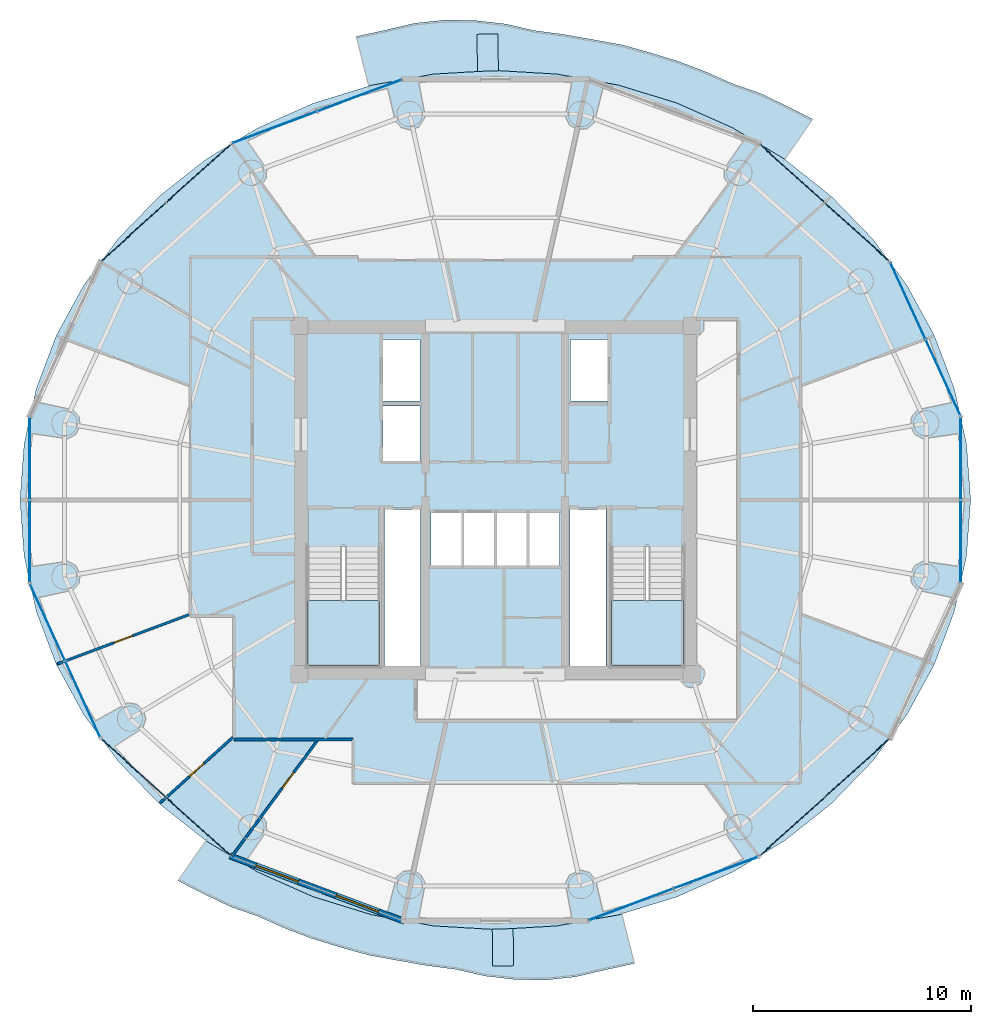
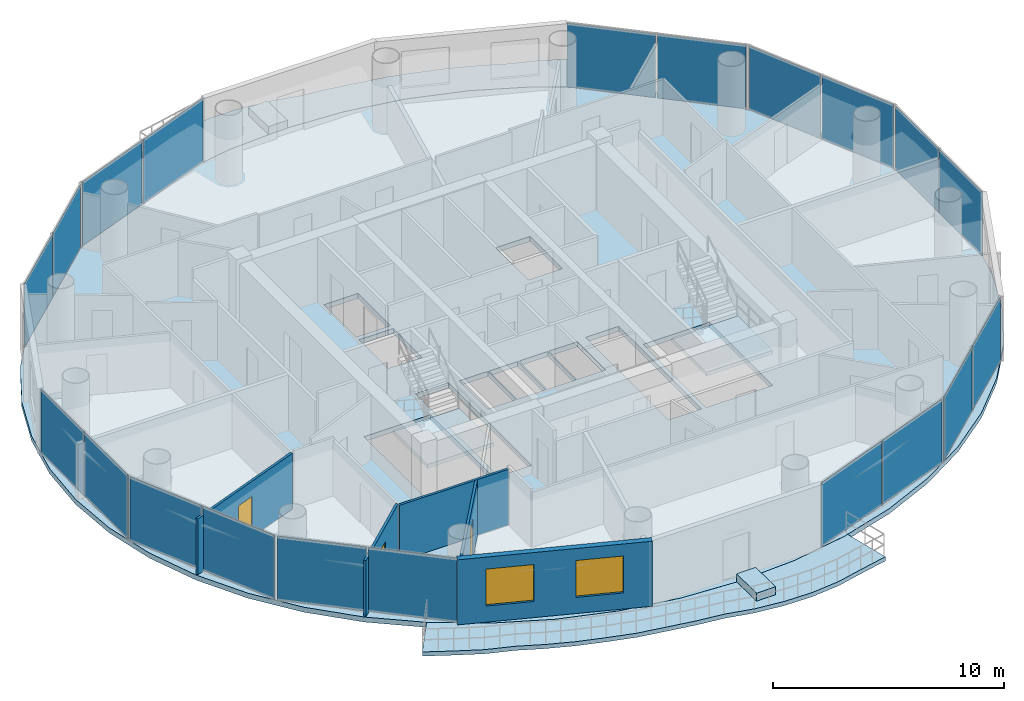
# One storey, part 19 of 26: 20 plates, 7 slabs, 5 walls, 3 doors, 2 windows, 5 openings, 12 elements without a shape of their own.
"""IFC4 building model written with IfcOpenShell, lengths in metres."""

from ifc_helpers import new_model, si_unit, direction, frame, frame_2d, origin, origin_2d, place, context, subcontext, project, spatial, polyline, rectangle, outline, extrude, source, transform, mapped, material, layer, layer_set, type_object, element, fill, aggregate, save


model = new_model("IFC4")

# Units and contexts
model_context = context("Model", 3, precision=1e-05, world=origin(), true_north=direction((-0.2419218956, 0.970295726276)))
body_context = subcontext(model_context, "Body", "Model", "MODEL_VIEW")
ifc_project = project(units=[si_unit("LENGTHUNIT", "METRE"), si_unit("AREAUNIT", "SQUARE_METRE"), si_unit("VOLUMEUNIT", "CUBIC_METRE"), si_unit("PLANEANGLEUNIT", "RADIAN"), si_unit("MASSUNIT", "GRAM", prefix="KILO")], contexts=[model_context])

# Site, building, storey
site_placement = place(None, origin())
site = spatial("IfcSite", under=ifc_project, at=site_placement, CompositionType="ELEMENT")
building_placement = place(site_placement, origin())
building = spatial("IfcBuilding", under=site, at=building_placement, Name="Cobrevalo Terracotta Tower", CompositionType="ELEMENT")
storey_placement = place(building_placement, frame((0.0, 0.0, 217.10009765625)))
storey = spatial("IfcBuildingStorey", under=building, at=storey_placement, Name="L57", CompositionType="ELEMENT", Elevation=217.10009765625)

# Stair, slab
ifc_material_1 = material(Name="Concrete C50", Category="concrete")
stair_type = type_object("IfcStairType", Name="Core protected escape dogleg stair 1600", PredefinedType="HALF_TURN_STAIR", material=ifc_material_1)
stair_1_placement = place(storey_placement, origin())
stair_1 = element("IfcStair", 1, at=stair_1_placement, inside=storey, type_object=stair_type, Name="L57 Protected exit stair ST-1", PredefinedType="HALF_TURN_STAIR")
ifc_layer_1 = layer(ifc_material_1, 0.199951171875)
ifc_layer_set_1 = layer_set([ifc_layer_1], Name="Concrete C50")
slab_type_1 = type_object("IfcSlabType", Name="Reinforced Concrete Stair Landing 200", PredefinedType="LANDING", material=ifc_layer_set_1)
slab_1_placement = place(storey_placement, frame((0.0, 0.0, 1.64990234375)))
slab_1 = element("IfcSlab", 2, at=slab_1_placement, type_object=slab_type_1, Name="ST-1 landing 1", PredefinedType="LANDING", context=body_context, shape_type="SweptSolid", body=[
    extrude(outline(polyline([(29.375, 22.179931640625), (29.375, 19.175048828125), (32.695068359375, 19.175048828125), (32.695068359375, 22.179931640625), (29.375, 22.179931640625)])), origin(), (0.0, 0.0, 1.0), 0.199951171875),
])
aggregate(stair_1, [slab_1])

stair_2_placement = place(storey_placement, origin())
stair_2 = element("IfcStair", 3, at=stair_2_placement, inside=storey, type_object=stair_type, Name="L57 Protected exit stair ST-2", PredefinedType="HALF_TURN_STAIR")
slab_2_placement = place(storey_placement, frame((0.0, 0.0, 1.64990234375)))
slab_2 = element("IfcSlab", 4, at=slab_2_placement, type_object=slab_type_1, Name="ST-2 landing 1", PredefinedType="LANDING", context=body_context, shape_type="SweptSolid", body=[
    extrude(outline(polyline([(43.304931640625, 22.179931640625), (43.304931640625, 19.175048828125), (46.625, 19.175048828125), (46.625, 22.179931640625), (43.304931640625, 22.179931640625)])), origin(), (0.0, 0.0, 1.0), 0.199951171875),
])
aggregate(stair_2, [slab_2])

# Slabs
ifc_material_2 = material(Name="Concrete C45", Category="concrete")
ifc_layer_2 = layer(ifc_material_2, 0.219970703125)
ifc_layer_set_2 = layer_set([ifc_layer_2], Name="Concrete C45")
slab_type_2 = type_object("IfcSlabType", Name="Spiralling cantilevered balcony lobe slab 220 mm", PredefinedType="FLOOR", material=ifc_layer_set_2)
slab_3_placement = place(storey_placement, frame((0.0, 0.0, -0.22021484375)))
element("IfcSlab", 5, at=slab_3_placement, inside=storey, type_object=slab_type_2, Name="L57 spiralling arc balcony slab lobe 1", PredefinedType="FLOOR", context=body_context, shape_type="SweptSolid", body=[
    extrude(outline(polyline([(52.564208984375, 44.260498046875), (51.358154296875, 44.873046875), (50.14892578125, 45.454345703125), (48.87451171875, 45.89697265625), (47.653076171875, 46.440673828125), (46.401123046875, 46.916259765625), (45.1142578125, 47.31201171875), (43.81787109375, 47.674560546875), (42.48681640625, 47.916015625), (41.155029296875, 48.152587890625), (39.808837890625, 48.328857421875), (38.45458984375, 48.63623046875), (37.078125, 48.7939453125), (35.689697265625, 48.815185546875), (34.313232421875, 48.670166015625), (32.964599609375, 48.353759765625), (31.61865234375, 48.05859375), (32.188720703125, 45.779052734375), (32.357177734375, 45.83056640625), (35.154296875, 46.33349609375), (38.0, 46.501953125), (40.845703125, 46.33349609375), (43.642822265625, 45.83056640625), (46.34326171875, 45.002197265625), (48.90087890625, 43.862548828125), (51.272216796875, 42.4306640625), (51.285888671875, 42.419921875), (52.564208984375, 44.260498046875)])), origin(), (0.0, 0.0, 1.0), 0.22021484375),
])
slab_4_placement = place(storey_placement, frame((0.0, 0.0, -0.22021484375)))
element("IfcSlab", 6, at=slab_4_placement, inside=storey, type_object=slab_type_2, Name="L57 spiralling arc balcony slab lobe 2", PredefinedType="FLOOR", context=body_context, shape_type="SweptSolid", body=[
    extrude(outline(polyline([(23.435791015625, 9.339599609375), (24.641845703125, 8.72705078125), (25.85107421875, 8.1455078125), (27.12548828125, 7.703125), (28.346923828125, 7.1591796875), (29.598876953125, 6.683837890625), (30.8857421875, 6.2880859375), (32.18212890625, 5.925537109375), (33.51318359375, 5.683837890625), (34.844970703125, 5.447509765625), (36.191162109375, 5.271240234375), (37.54541015625, 4.963623046875), (38.921875, 4.80615234375), (40.310302734375, 4.784912109375), (41.686767578125, 4.929931640625), (43.035400390625, 5.246337890625), (44.38134765625, 5.541259765625), (43.811279296875, 7.821044921875), (43.642822265625, 7.769287109375), (40.845703125, 7.2666015625), (38.0, 7.097900390625), (35.154296875, 7.2666015625), (32.357177734375, 7.769287109375), (29.65673828125, 8.59765625), (27.09912109375, 9.737548828125), (24.727783203125, 11.16943359375), (24.714111328125, 11.18017578125), (23.435791015625, 9.339599609375)])), origin(), (0.0, 0.0, 1.0), 0.22021484375),
])
ifc_material_3 = material(Name="Precast concrete C45", Category="concrete")
ifc_layer_3 = layer(ifc_material_3, 0.419921875)
ifc_layer_set_3 = layer_set([ifc_layer_3], Name="Precast concrete C45")
slab_type_3 = type_object("IfcSlabType", Name="Structural tree planter trough base 420 mm", PredefinedType="USERDEFINED", material=ifc_layer_set_3)
slab_5_placement = place(storey_placement, origin())
element("IfcSlab", 7, at=slab_5_placement, inside=storey, type_object=slab_type_3, Name="L57 structural tree planter trough 1", ObjectType="PLANTER", PredefinedType="USERDEFINED", context=body_context, shape_type="SweptSolid", body=[
    extrude(outline(polyline([(38.142333984375, 46.474365234375), (38.118408203125, 48.174072265625), (37.15869140625, 48.16064453125), (37.182373046875, 46.4609375), (38.142333984375, 46.474365234375)])), origin(), (0.0, 0.0, 1.0), 0.419921875),
])
slab_6_placement = place(storey_placement, origin())
element("IfcSlab", 8, at=slab_6_placement, inside=storey, type_object=slab_type_3, Name="L57 structural tree planter trough 2", ObjectType="PLANTER", PredefinedType="USERDEFINED", context=body_context, shape_type="SweptSolid", body=[
    extrude(outline(polyline([(37.857666015625, 7.125732421875), (37.881591796875, 5.42578125), (38.84130859375, 5.439208984375), (38.817626953125, 7.13916015625), (37.857666015625, 7.125732421875)])), origin(), (0.0, 0.0, 1.0), 0.419921875),
])
ifc_layer_4 = layer(ifc_material_2, 0.264892578125)
ifc_layer_set_4 = layer_set([ifc_layer_4], Name="Concrete C45")
slab_type_4 = type_object("IfcSlabType", Name="Zone Z4 elliptical floor plate 265 mm", PredefinedType="FLOOR", material=ifc_layer_set_4)
slab_7_placement = place(storey_placement, frame((0.0, 0.0, -0.26513671875)))
element("IfcSlab", 9, at=slab_7_placement, inside=storey, type_object=slab_type_4, Name="L57 indoor elliptical floor slab", PredefinedType="FLOOR", context=body_context, shape_type="SweptSolid", body=[
    extrude(outline(polyline([(59.613525390625, 24.228515625), (59.05712890625, 21.701171875), (58.140625, 19.26123046875), (56.87939453125, 16.949951171875), (55.295166015625, 14.807373046875), (53.4150390625, 12.8701171875), (51.27099609375, 11.1708984375), (48.89990234375, 9.7392578125), (46.342529296875, 8.599609375), (43.642333984375, 7.771240234375), (40.845458984375, 7.2685546875), (38.0, 7.10009765625), (35.154541015625, 7.2685546875), (32.357666015625, 7.771240234375), (29.657470703125, 8.599609375), (27.10009765625, 9.7392578125), (24.72900390625, 11.1708984375), (22.5849609375, 12.8701171875), (20.704833984375, 14.807373046875), (19.12060546875, 16.949951171875), (17.859375, 19.26123046875), (16.94287109375, 21.701171875), (16.386474609375, 24.228515625), (16.199951171875, 26.800048828125), (16.386474609375, 29.371337890625), (16.94287109375, 31.898681640625), (17.859375, 34.3388671875), (19.12060546875, 36.64990234375), (20.704833984375, 38.79248046875), (22.5849609375, 40.72998046875), (24.72900390625, 42.428955078125), (27.10009765625, 43.860595703125), (29.657470703125, 45.00048828125), (32.357666015625, 45.828857421875), (35.154541015625, 46.33154296875), (38.0, 46.5), (40.845458984375, 46.33154296875), (43.642333984375, 45.828857421875), (46.342529296875, 45.00048828125), (48.89990234375, 43.860595703125), (51.27099609375, 42.428955078125), (53.4150390625, 40.72998046875), (55.295166015625, 38.79248046875), (56.87939453125, 36.64990234375), (58.140625, 34.3388671875), (59.05712890625, 31.898681640625), (59.613525390625, 29.371337890625), (59.800048828125, 26.800048828125), (59.613525390625, 24.228515625)]), holes=[polyline([(32.695068359375, 19.175048828125), (32.695068359375, 24.659912109375), (29.375, 24.659912109375), (29.375, 19.175048828125), (32.695068359375, 19.175048828125)]), polyline([(34.574951171875, 26.360107421875), (32.919921875, 26.360107421875), (32.919921875, 19.175048828125), (34.574951171875, 19.175048828125), (34.574951171875, 26.360107421875)]), polyline([(36.47998046875, 26.25), (35.050048828125, 26.25), (35.050048828125, 23.800048828125), (36.47998046875, 23.800048828125), (36.47998046875, 26.25)]), polyline([(37.9599609375, 23.800048828125), (37.9599609375, 26.25), (36.530029296875, 26.25), (36.530029296875, 23.800048828125), (37.9599609375, 23.800048828125)]), polyline([(34.550048828125, 28.60009765625), (34.550048828125, 31.10009765625), (32.85009765625, 31.10009765625), (32.85009765625, 28.60009765625), (34.550048828125, 28.60009765625)]), polyline([(34.550048828125, 34.14990234375), (32.85009765625, 34.14990234375), (32.85009765625, 31.35009765625), (34.550048828125, 31.35009765625), (34.550048828125, 34.14990234375)]), polyline([(43.304931640625, 19.175048828125), (46.625, 19.175048828125), (46.625, 24.659912109375), (43.304931640625, 24.659912109375), (43.304931640625, 19.175048828125)]), polyline([(43.080078125, 19.175048828125), (43.080078125, 26.360107421875), (41.425048828125, 26.360107421875), (41.425048828125, 19.175048828125), (43.080078125, 19.175048828125)]), polyline([(39.469970703125, 26.25), (38.0400390625, 26.25), (38.0400390625, 23.800048828125), (39.469970703125, 23.800048828125), (39.469970703125, 26.25)]), polyline([(40.949951171875, 23.800048828125), (40.949951171875, 26.25), (39.52001953125, 26.25), (39.52001953125, 23.800048828125), (40.949951171875, 23.800048828125)]), polyline([(43.14990234375, 31.35009765625), (43.14990234375, 34.14990234375), (41.449951171875, 34.14990234375), (41.449951171875, 31.35009765625), (43.14990234375, 31.35009765625)])]), origin(), (0.0, 0.0, 1.0), 0.26513671875),
])

# Curtain wall, plates
ifc_material_4 = material(Name="Anodized aluminium", Category="aluminium")
curtain_wall_type = type_object("IfcCurtainWallType", Name="Mid-tower high-wind unitised curtain wall CW-U2", PredefinedType="NOTDEFINED", material=ifc_material_4)
curtain_wall_1_placement = place(storey_placement, origin())
curtain_wall_1 = element("IfcCurtainWall", 10, at=curtain_wall_1_placement, inside=storey, type_object=curtain_wall_type, Name="L57 curtain wall CW-L57-S02", PredefinedType="NOTDEFINED")
ifc_material_5 = material(Name="Solar-control low-E double glazing", Category="glass")
ifc_layer_5 = layer(ifc_material_5, 0.028076171875)
ifc_layer_set_5 = layer_set([ifc_layer_5], Name="Solar-control low-E double glazing")
plate_type = type_object("IfcPlateType", Name="Tower solar-control low-E vision glass panel 28 mm", PredefinedType="CURTAIN_PANEL", material=ifc_layer_set_5)
shared_shape_1 = source(origin(), body_context, "Body", "SweptSolid", [
    extrude(rectangle(XDim=3.927490234375, YDim=0.035888671875, at=origin_2d()), origin(), (0.0, 0.0, 1.0), 3.35498046875),
])
plate_1_placement = place(storey_placement, frame((54.584716796875, 39.09814453125, 0.039794921875), z_axis=(0.0, 0.0, 1.0), x_axis=(-0.741987542015, 0.670413668935, 0.0)))
plate_1 = element("IfcPlate", 11, at=plate_1_placement, type_object=plate_type, Name="CW-L57-S02 glazing panel B01", PredefinedType="CURTAIN_PANEL", context=body_context, shape_type="MappedRepresentation", body=[
    mapped(shared_shape_1, transform((0.0, 0.0, 0.0), scale=1.0)),
])
plate_2_placement = place(storey_placement, frame((51.611083984375, 41.784912109375, 0.039794921875), z_axis=(0.0, 0.0, 1.0), x_axis=(-0.741987542015, 0.670413668935, 0.0)))
plate_2 = element("IfcPlate", 12, at=plate_2_placement, type_object=plate_type, Name="CW-L57-S02 glazing panel B02", PredefinedType="CURTAIN_PANEL", context=body_context, shape_type="MappedRepresentation", body=[
    mapped(shared_shape_1, transform((0.0, 0.0, 0.0), scale=1.0)),
])
aggregate(curtain_wall_1, [plate_1, plate_2])

curtain_wall_2_placement = place(storey_placement, origin())
curtain_wall_2 = element("IfcCurtainWall", 13, at=curtain_wall_2_placement, inside=storey, type_object=curtain_wall_type, Name="L57 curtain wall CW-L57-S06", PredefinedType="NOTDEFINED")
plate_3_placement = place(storey_placement, frame((24.388916015625, 41.784912109375, 0.039794921875), z_axis=(0.0, 0.0, 1.0), x_axis=(-0.741987542015, -0.670413668935, 0.0)))
plate_3 = element("IfcPlate", 14, at=plate_3_placement, type_object=plate_type, Name="CW-L57-S06 glazing panel B01", PredefinedType="CURTAIN_PANEL", context=body_context, shape_type="MappedRepresentation", body=[
    mapped(shared_shape_1, transform((0.0, 0.0, 0.0), scale=1.0)),
])
plate_4_placement = place(storey_placement, frame((21.415283203125, 39.09814453125, 0.039794921875), z_axis=(0.0, 0.0, 1.0), x_axis=(-0.741987542015, -0.670413668935, 0.0)))
plate_4 = element("IfcPlate", 15, at=plate_4_placement, type_object=plate_type, Name="CW-L57-S06 glazing panel B02", PredefinedType="CURTAIN_PANEL", context=body_context, shape_type="MappedRepresentation", body=[
    mapped(shared_shape_1, transform((0.0, 0.0, 0.0), scale=1.0)),
])
aggregate(curtain_wall_2, [plate_3, plate_4])

curtain_wall_3_placement = place(storey_placement, origin())
curtain_wall_3 = element("IfcCurtainWall", 16, at=curtain_wall_3_placement, inside=storey, type_object=curtain_wall_type, Name="L57 curtain wall CW-L57-S10", PredefinedType="NOTDEFINED")
plate_5_placement = place(storey_placement, frame((21.415283203125, 14.501708984375, 0.039794921875), z_axis=(0.0, 0.0, 1.0), x_axis=(0.741987542015, -0.670413668935, 0.0)))
plate_5 = element("IfcPlate", 17, at=plate_5_placement, type_object=plate_type, Name="CW-L57-S10 glazing panel B01", PredefinedType="CURTAIN_PANEL", context=body_context, shape_type="MappedRepresentation", body=[
    mapped(shared_shape_1, transform((0.0, 0.0, 0.0), scale=1.0)),
])
plate_6_placement = place(storey_placement, frame((24.388916015625, 11.815185546875, 0.039794921875), z_axis=(0.0, 0.0, 1.0), x_axis=(0.741987542015, -0.670413668935, 0.0)))
plate_6 = element("IfcPlate", 18, at=plate_6_placement, type_object=plate_type, Name="CW-L57-S10 glazing panel B02", PredefinedType="CURTAIN_PANEL", context=body_context, shape_type="MappedRepresentation", body=[
    mapped(shared_shape_1, transform((0.0, 0.0, 0.0), scale=1.0)),
])
aggregate(curtain_wall_3, [plate_5, plate_6])

curtain_wall_4_placement = place(storey_placement, origin())
curtain_wall_4 = element("IfcCurtainWall", 19, at=curtain_wall_4_placement, inside=storey, type_object=curtain_wall_type, Name="L57 curtain wall CW-L57-S14", PredefinedType="NOTDEFINED")
plate_7_placement = place(storey_placement, frame((51.611083984375, 11.815185546875, 0.039794921875), z_axis=(0.0, 0.0, 1.0), x_axis=(0.741987542015, 0.670413668935, 0.0)))
plate_7 = element("IfcPlate", 20, at=plate_7_placement, type_object=plate_type, Name="CW-L57-S14 glazing panel B01", PredefinedType="CURTAIN_PANEL", context=body_context, shape_type="MappedRepresentation", body=[
    mapped(shared_shape_1, transform((0.0, 0.0, 0.0), scale=1.0)),
])
plate_8_placement = place(storey_placement, frame((54.584716796875, 14.501708984375, 0.039794921875), z_axis=(0.0, 0.0, 1.0), x_axis=(0.741987542015, 0.670413668935, 0.0)))
plate_8 = element("IfcPlate", 21, at=plate_8_placement, type_object=plate_type, Name="CW-L57-S14 glazing panel B02", PredefinedType="CURTAIN_PANEL", context=body_context, shape_type="MappedRepresentation", body=[
    mapped(shared_shape_1, transform((0.0, 0.0, 0.0), scale=1.0)),
])
aggregate(curtain_wall_4, [plate_7, plate_8])

curtain_wall_5_placement = place(storey_placement, origin())
curtain_wall_5 = element("IfcCurtainWall", 22, at=curtain_wall_5_placement, inside=storey, type_object=curtain_wall_type, Name="L57 curtain wall CW-L57-S01", PredefinedType="NOTDEFINED")
shared_shape_2 = source(origin(), body_context, "Body", "SweptSolid", [
    extrude(rectangle(XDim=3.780029296875, YDim=0.035888671875, at=origin_2d()), origin(), (0.0, 0.0, 1.0), 3.35498046875),
])
plate_9_placement = place(storey_placement, frame((58.53076171875, 32.42822265625, 0.039794921875), z_axis=(0.0, 0.0, 1.0), x_axis=(-0.416731425355, 0.909029657999, 0.0)))
plate_9 = element("IfcPlate", 23, at=plate_9_placement, type_object=plate_type, Name="CW-L57-S01 glazing panel B01", PredefinedType="CURTAIN_PANEL", context=body_context, shape_type="MappedRepresentation", body=[
    mapped(shared_shape_2, transform((0.0, 0.0, 0.0), scale=1.0)),
])
plate_10_placement = place(storey_placement, frame((56.922119140625, 35.937255859375, 0.039794921875), z_axis=(0.0, 0.0, 1.0), x_axis=(-0.416731425355, 0.909029657999, 0.0)))
plate_10 = element("IfcPlate", 24, at=plate_10_placement, type_object=plate_type, Name="CW-L57-S01 glazing panel B02", PredefinedType="CURTAIN_PANEL", context=body_context, shape_type="MappedRepresentation", body=[
    mapped(shared_shape_2, transform((0.0, 0.0, 0.0), scale=1.0)),
])
aggregate(curtain_wall_5, [plate_9, plate_10])

curtain_wall_6_placement = place(storey_placement, origin())
curtain_wall_6 = element("IfcCurtainWall", 25, at=curtain_wall_6_placement, inside=storey, type_object=curtain_wall_type, Name="L57 curtain wall CW-L57-S09", PredefinedType="NOTDEFINED")
plate_11_placement = place(storey_placement, frame((17.46923828125, 21.171630859375, 0.039794921875), z_axis=(0.0, 0.0, 1.0), x_axis=(0.416731425355, -0.909029657999, 0.0)))
plate_11 = element("IfcPlate", 26, at=plate_11_placement, type_object=plate_type, Name="CW-L57-S09 glazing panel B01", PredefinedType="CURTAIN_PANEL", context=body_context, shape_type="MappedRepresentation", body=[
    mapped(shared_shape_2, transform((0.0, 0.0, 0.0), scale=1.0)),
])
plate_12_placement = place(storey_placement, frame((19.077880859375, 17.662841796875, 0.039794921875), z_axis=(0.0, 0.0, 1.0), x_axis=(0.416731425355, -0.909029657999, 0.0)))
plate_12 = element("IfcPlate", 27, at=plate_12_placement, type_object=plate_type, Name="CW-L57-S09 glazing panel B02", PredefinedType="CURTAIN_PANEL", context=body_context, shape_type="MappedRepresentation", body=[
    mapped(shared_shape_2, transform((0.0, 0.0, 0.0), scale=1.0)),
])
aggregate(curtain_wall_6, [plate_11, plate_12])

curtain_wall_7_placement = place(storey_placement, origin())
curtain_wall_7 = element("IfcCurtainWall", 28, at=curtain_wall_7_placement, inside=storey, type_object=curtain_wall_type, Name="L57 curtain wall CW-L57-S08", PredefinedType="NOTDEFINED")
shared_shape_3 = source(origin(), body_context, "Body", "SweptSolid", [
    extrude(rectangle(XDim=3.71728515625, YDim=0.035888671875, at=origin_2d()), origin(), (0.0, 0.0, 1.0), 3.35498046875),
])
plate_13_placement = place(storey_placement, frame((16.648193359375, 28.69873046875, 0.039794921875), z_axis=(0.0, 0.0, 1.0), x_axis=(0.0, -1.0, 0.0)))
plate_13 = element("IfcPlate", 29, at=plate_13_placement, type_object=plate_type, Name="CW-L57-S08 glazing panel B01", PredefinedType="CURTAIN_PANEL", context=body_context, shape_type="MappedRepresentation", body=[
    mapped(shared_shape_3, transform((0.0, 0.0, 0.0), scale=1.0)),
])
plate_14_placement = place(storey_placement, frame((16.648193359375, 24.9013671875, 0.039794921875), z_axis=(0.0, 0.0, 1.0), x_axis=(0.0, -1.0, 0.0)))
plate_14 = element("IfcPlate", 30, at=plate_14_placement, type_object=plate_type, Name="CW-L57-S08 glazing panel B02", PredefinedType="CURTAIN_PANEL", context=body_context, shape_type="MappedRepresentation", body=[
    mapped(shared_shape_3, transform((0.0, 0.0, 0.0), scale=1.0)),
])
aggregate(curtain_wall_7, [plate_13, plate_14])

curtain_wall_8_placement = place(storey_placement, origin())
curtain_wall_8 = element("IfcCurtainWall", 31, at=curtain_wall_8_placement, inside=storey, type_object=curtain_wall_type, Name="L57 curtain wall CW-L57-S16", PredefinedType="NOTDEFINED")
plate_15_placement = place(storey_placement, frame((59.351806640625, 24.9013671875, 0.039794921875), z_axis=(0.0, 0.0, 1.0), x_axis=(0.0, 1.0, 0.0)))
plate_15 = element("IfcPlate", 32, at=plate_15_placement, type_object=plate_type, Name="CW-L57-S16 glazing panel B01", PredefinedType="CURTAIN_PANEL", context=body_context, shape_type="MappedRepresentation", body=[
    mapped(shared_shape_3, transform((0.0, 0.0, 0.0), scale=1.0)),
])
plate_16_placement = place(storey_placement, frame((59.351806640625, 28.69873046875, 0.039794921875), z_axis=(0.0, 0.0, 1.0), x_axis=(0.0, 1.0, 0.0)))
plate_16 = element("IfcPlate", 33, at=plate_16_placement, type_object=plate_type, Name="CW-L57-S16 glazing panel B02", PredefinedType="CURTAIN_PANEL", context=body_context, shape_type="MappedRepresentation", body=[
    mapped(shared_shape_3, transform((0.0, 0.0, 0.0), scale=1.0)),
])
aggregate(curtain_wall_8, [plate_15, plate_16])

curtain_wall_9_placement = place(storey_placement, origin())
curtain_wall_9 = element("IfcCurtainWall", 34, at=curtain_wall_9_placement, inside=storey, type_object=curtain_wall_type, Name="L57 curtain wall CW-L57-S05", PredefinedType="NOTDEFINED")
shared_shape_4 = source(origin(), body_context, "Body", "SweptSolid", [
    extrude(rectangle(XDim=4.069580078125, YDim=0.035888671875, at=origin_2d()), origin(), (0.0, 0.0, 1.0), 3.35498046875),
])
plate_17_placement = place(storey_placement, frame((31.772216796875, 45.350830078125, 0.039794921875), z_axis=(0.0, 0.0, 1.0), x_axis=(-0.936557839879, -0.350513070458, 0.0)))
plate_17 = element("IfcPlate", 35, at=plate_17_placement, type_object=plate_type, Name="CW-L57-S05 glazing panel B01", PredefinedType="CURTAIN_PANEL", context=body_context, shape_type="MappedRepresentation", body=[
    mapped(shared_shape_4, transform((0.0, 0.0, 0.0), scale=1.0)),
])
plate_18_placement = place(storey_placement, frame((27.885986328125, 43.896240234375, 0.039794921875), z_axis=(0.0, 0.0, 1.0), x_axis=(-0.936557839879, -0.350513070458, 0.0)))
plate_18 = element("IfcPlate", 36, at=plate_18_placement, type_object=plate_type, Name="CW-L57-S05 glazing panel B02", PredefinedType="CURTAIN_PANEL", context=body_context, shape_type="MappedRepresentation", body=[
    mapped(shared_shape_4, transform((0.0, 0.0, 0.0), scale=1.0)),
])
aggregate(curtain_wall_9, [plate_17, plate_18])

curtain_wall_10_placement = place(storey_placement, origin())
curtain_wall_10 = element("IfcCurtainWall", 37, at=curtain_wall_10_placement, inside=storey, type_object=curtain_wall_type, Name="L57 curtain wall CW-L57-S13", PredefinedType="NOTDEFINED")
plate_19_placement = place(storey_placement, frame((44.227783203125, 8.249267578125, 0.039794921875), z_axis=(0.0, 0.0, 1.0), x_axis=(0.936557839879, 0.350513070458, 0.0)))
plate_19 = element("IfcPlate", 38, at=plate_19_placement, type_object=plate_type, Name="CW-L57-S13 glazing panel B01", PredefinedType="CURTAIN_PANEL", context=body_context, shape_type="MappedRepresentation", body=[
    mapped(shared_shape_4, transform((0.0, 0.0, 0.0), scale=1.0)),
])
plate_20_placement = place(storey_placement, frame((48.114013671875, 9.70361328125, 0.039794921875), z_axis=(0.0, 0.0, 1.0), x_axis=(0.936557839879, 0.350513070458, 0.0)))
plate_20 = element("IfcPlate", 39, at=plate_20_placement, type_object=plate_type, Name="CW-L57-S13 glazing panel B02", PredefinedType="CURTAIN_PANEL", context=body_context, shape_type="MappedRepresentation", body=[
    mapped(shared_shape_4, transform((0.0, 0.0, 0.0), scale=1.0)),
])
aggregate(curtain_wall_10, [plate_19, plate_20])

# Wall, openings, windows
ifc_material_6 = material(Name="Autoclaved aerated concrete block", Category="concrete")
ifc_layer_6 = layer(ifc_material_6, 0.280029296875)
ifc_layer_set_6 = layer_set([ifc_layer_6], Name="Autoclaved aerated concrete block")
wall_type_1 = type_object("IfcWallType", Name="Insulated tower spandrel & pier wall 280 mm with terracotta rainscreen", PredefinedType="SOLIDWALL", material=ifc_layer_set_6)
wall_1_placement = place(storey_placement, frame((25.830322265625, 10.47314453125, 0.0), z_axis=(0.0, 0.0, 1.0), x_axis=(0.936556918375, -0.350515532672, 0.0)))
wall_1 = element("IfcWall", 40, at=wall_1_placement, inside=storey, type_object=wall_type_1, Name="L57 terracotta rainscreen pier wall S11", PredefinedType="SOLIDWALL", context=body_context, shape_type="SweptSolid", body=[
    extrude(rectangle(XDim=8.539306640625, YDim=0.280029296875, at=frame_2d((4.26953125, 0.0))), origin(), (0.0, 0.0, 1.0), 3.434814453125),
])
opening_1_placement = place(wall_1_placement, frame((1.255615234375, 0.0, 0.85009765625)))
opening_1 = element("IfcOpeningElement", 41, at=opening_1_placement, cuts=wall_1, Name="Opening WN-10", PredefinedType="OPENING", context=body_context, shape_type="SweptSolid", body=[
    extrude(rectangle(XDim=2.10009765625, YDim=1.949951171875, at=frame_2d((1.050048828125, 0.97509765625))), frame((0.0, 0.14990234375, 0.0), z_axis=(0.0, -1.0, 0.0), x_axis=(1.0, 0.0, 0.0)), (0.0, 0.0, 1.0), 0.300048828125),
])
opening_2_placement = place(wall_1_placement, frame((5.18359375, 0.0, 0.85009765625)))
opening_2 = element("IfcOpeningElement", 42, at=opening_2_placement, cuts=wall_1, Name="Opening WN-10", PredefinedType="OPENING", context=body_context, shape_type="SweptSolid", body=[
    extrude(rectangle(XDim=2.10009765625, YDim=1.949951171875, at=frame_2d((1.050048828125, 0.97509765625))), frame((0.0, 0.14990234375, 0.0), z_axis=(0.0, -1.0, 0.0), x_axis=(1.0, 0.0, 0.0)), (0.0, 0.0, 1.0), 0.300048828125),
])
window_type = type_object("IfcWindowType", Name="Wide panoramic low-E aluminium window 2100x1950", PartitioningType="SINGLE_PANEL", PredefinedType="WINDOW", material=ifc_material_5)
shared_shape_5 = source(origin(), body_context, "Body", "SweptSolid", [
    extrude(rectangle(XDim=2.10009765625, YDim=1.949951171875, at=frame_2d((1.050048828125, 0.97509765625))), frame((0.0, 0.030029296875, 0.0), z_axis=(0.0, -1.0, 0.0), x_axis=(1.0, 0.0, 0.0)), (0.0, 0.0, 1.0), 0.06005859375),
])
window_1_placement = place(opening_1_placement, origin())
window_1 = element("IfcWindow", 43, at=window_1_placement, inside=storey, type_object=window_type, Name="L57 suite window S11A", OverallHeight=1.949951171875, OverallWidth=2.10009765625, PartitioningType="SINGLE_PANEL", PredefinedType="WINDOW", context=body_context, shape_type="MappedRepresentation", body=[
    mapped(shared_shape_5, transform((0.0, 0.0, 0.0), scale=1.0)),
])
fill(opening_1, window_1)
window_2_placement = place(opening_2_placement, origin())
window_2 = element("IfcWindow", 44, at=window_2_placement, inside=storey, type_object=window_type, Name="L57 suite window S11B", OverallHeight=1.949951171875, OverallWidth=2.10009765625, PartitioningType="SINGLE_PANEL", PredefinedType="WINDOW", context=body_context, shape_type="MappedRepresentation", body=[
    mapped(shared_shape_5, transform((0.0, 0.0, 0.0), scale=1.0)),
])
fill(opening_2, window_2)

# Wall
ifc_material_7 = material(Name="Gypsum board on steel stud", Category="steel")
ifc_layer_7 = layer(ifc_material_7, 0.1201171875)
ifc_layer_set_7 = layer_set([ifc_layer_7], Name="Gypsum board on steel stud")
wall_type_2 = type_object("IfcWallType", Name="Residential internal acoustic stud partition 120 mm", PredefinedType="PARTITIONING", material=ifc_layer_set_7)
wall_2_placement = place(storey_placement, frame((31.47998046875, 15.81494140625, 0.0), z_axis=(0.0, 0.0, 1.0), x_axis=(-1.0, 0.0, 0.0)))
element("IfcWall", 45, at=wall_2_placement, inside=storey, type_object=wall_type_2, Name="L57 interior partition IW-L57-U3-RING2_0", PredefinedType="PARTITIONING", context=body_context, shape_type="SweptSolid", body=[
    extrude(rectangle(XDim=5.465087890625, YDim=0.1201171875, at=frame_2d((2.732421875, 0.0))), origin(), (0.0, 0.0, 1.0), 2.950927734375),
])

# Wall, opening, door
wall_3_placement = place(storey_placement, frame((23.947021484375, 21.539794921875, 0.0), z_axis=(0.0, 0.0, 1.0), x_axis=(-0.936534700322, -0.350574892274, 0.0)))
wall_3 = element("IfcWall", 46, at=wall_3_placement, inside=storey, type_object=wall_type_2, Name="L57 interior partition IW-L57-U3-ORAD1", PredefinedType="PARTITIONING", context=body_context, shape_type="SweptSolid", body=[
    extrude(rectangle(XDim=6.43896484375, YDim=0.1201171875, at=frame_2d((3.219482421875, 0.0))), origin(), (0.0, 0.0, 1.0), 2.950927734375),
])
opening_3_placement = place(wall_3_placement, frame((2.769287109375, 0.0, 0.0)))
opening_3 = element("IfcOpeningElement", 47, at=opening_3_placement, cuts=wall_3, Name="Opening ID-12", PredefinedType="OPENING", context=body_context, shape_type="SweptSolid", body=[
    extrude(rectangle(XDim=0.89990234375, YDim=2.14990234375, at=frame_2d((0.449951171875, 1.074951171875))), frame((0.0, 0.070068359375, 0.0), z_axis=(0.0, -1.0, 0.0), x_axis=(1.0, 0.0, 0.0)), (0.0, 0.0, 1.0), 0.14013671875),
])
ifc_material_8 = material(Name="Engineered timber", Category="wood")
door_type = type_object("IfcDoorType", Name="Internal residence & suite timber door 900x2150", OperationType="NOTDEFINED", PredefinedType="DOOR", material=ifc_material_8)
shared_shape_6 = source(origin(), body_context, "Body", "SweptSolid", [
    extrude(rectangle(XDim=0.89990234375, YDim=2.14990234375, at=frame_2d((0.449951171875, 1.074951171875))), frame((0.0, 0.02490234375, 0.0), z_axis=(0.0, -1.0, 0.0), x_axis=(1.0, 0.0, 0.0)), (0.0, 0.0, 1.0), 0.050048828125),
])
door_1_placement = place(opening_3_placement, frame((0.89990234375, 0.0, 0.0), z_axis=(0.0, 0.0, 1.0), x_axis=(-1.0, 0.0, 0.0)))
door_1 = element("IfcDoor", 48, at=door_1_placement, inside=storey, type_object=door_type, Name="Flat L57C Living and Dining Room internal door", OperationType="SINGLE_SWING_RIGHT", OverallHeight=2.14990234375, OverallWidth=0.89990234375, PredefinedType="DOOR", context=body_context, shape_type="MappedRepresentation", body=[
    mapped(shared_shape_6, transform((0.0, 0.0, 0.0), scale=1.0)),
])
fill(opening_3, door_1)

wall_4_placement = place(storey_placement, frame((25.968994140625, 15.927978515625, 0.0), z_axis=(0.0, 0.0, 1.0), x_axis=(-0.741935446671, -0.670471321514, 0.0)))
wall_4 = element("IfcWall", 49, at=wall_4_placement, inside=storey, type_object=wall_type_2, Name="L57 interior partition IW-L57-U3-ORAD2", PredefinedType="PARTITIONING", context=body_context, shape_type="SweptSolid", body=[
    extrude(rectangle(XDim=4.499267578125, YDim=0.1201171875, at=frame_2d((2.24951171875, 0.0))), origin(), (0.0, 0.0, 1.0), 2.950927734375),
])
opening_4_placement = place(wall_4_placement, frame((1.799560546875, 0.0, 0.0)))
opening_4 = element("IfcOpeningElement", 50, at=opening_4_placement, cuts=wall_4, Name="Opening ID-12", PredefinedType="OPENING", context=body_context, shape_type="SweptSolid", body=[
    extrude(rectangle(XDim=0.89990234375, YDim=2.14990234375, at=frame_2d((0.449951171875, 1.074951171875))), frame((0.0, 0.070068359375, 0.0), z_axis=(0.0, -1.0, 0.0), x_axis=(1.0, 0.0, 0.0)), (0.0, 0.0, 1.0), 0.14013671875),
])
door_2_placement = place(opening_4_placement, origin())
door_2 = element("IfcDoor", 51, at=door_2_placement, inside=storey, type_object=door_type, Name="Flat L57C Principal Guest Bedroom internal door", OperationType="SINGLE_SWING_LEFT", OverallHeight=2.14990234375, OverallWidth=0.89990234375, PredefinedType="DOOR", context=body_context, shape_type="MappedRepresentation", body=[
    mapped(shared_shape_6, transform((0.0, 0.0, 0.0), scale=1.0)),
])
fill(opening_4, door_2)

wall_5_placement = place(storey_placement, frame((29.8408203125, 15.76513671875, 0.0), z_axis=(0.0, 0.0, 1.0), x_axis=(-0.594535821787, -0.804069124275, 0.0)))
wall_5 = element("IfcWall", 52, at=wall_5_placement, inside=storey, type_object=wall_type_2, Name="L57 interior partition IW-L57-U3-ORAD3", PredefinedType="PARTITIONING", context=body_context, shape_type="SweptSolid", body=[
    extrude(rectangle(XDim=6.54345703125, YDim=0.1201171875, at=frame_2d((3.271728515625, 0.0))), origin(), (0.0, 0.0, 1.0), 2.950927734375),
])
opening_5_placement = place(wall_5_placement, frame((1.814208984375, 0.0, 0.0)))
opening_5 = element("IfcOpeningElement", 53, at=opening_5_placement, cuts=wall_5, Name="Opening ID-12", PredefinedType="OPENING", context=body_context, shape_type="SweptSolid", body=[
    extrude(rectangle(XDim=0.89990234375, YDim=2.14990234375, at=frame_2d((0.449951171875, 1.074951171875))), frame((0.0, 0.070068359375, 0.0), z_axis=(0.0, -1.0, 0.0), x_axis=(1.0, 0.0, 0.0)), (0.0, 0.0, 1.0), 0.14013671875),
])
door_3_placement = place(opening_5_placement, origin())
door_3 = element("IfcDoor", 54, at=door_3_placement, inside=storey, type_object=door_type, Name="Flat L57C Principal Guest Bedroom internal door", OperationType="SINGLE_SWING_RIGHT", OverallHeight=2.14990234375, OverallWidth=0.89990234375, PredefinedType="DOOR", context=body_context, shape_type="MappedRepresentation", body=[
    mapped(shared_shape_6, transform((0.0, 0.0, 0.0), scale=1.0)),
])
fill(opening_5, door_3)

save(model, "model.ifc")
